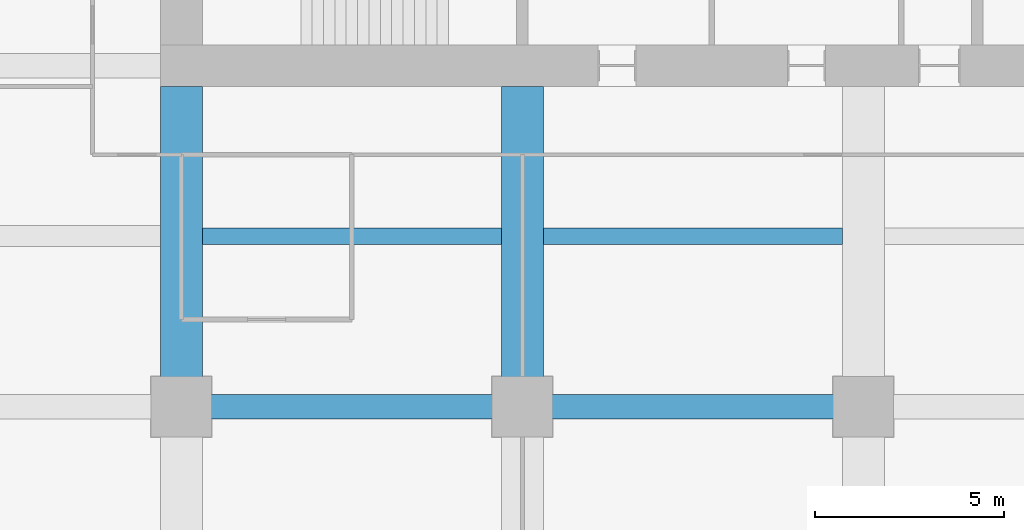
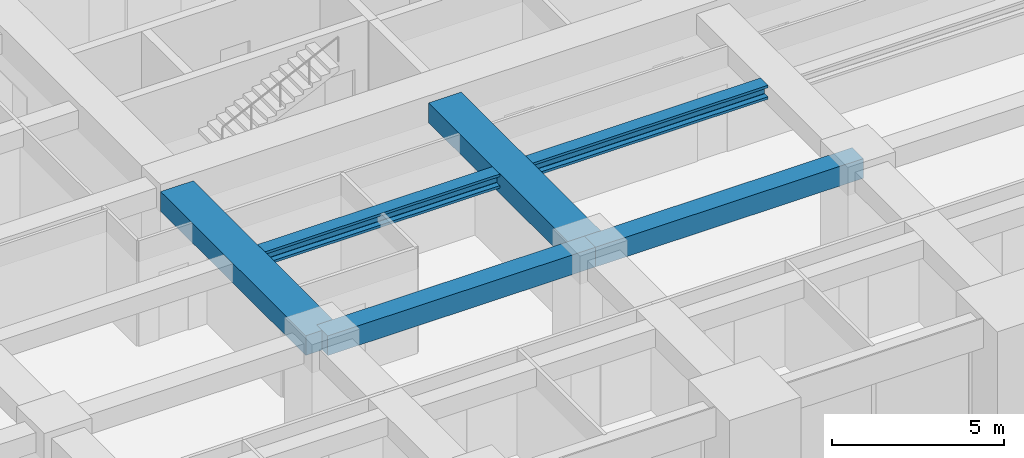
# One storey, part 8 of 32: 6 beams.
"""IFC4 building model written with IfcOpenShell, lengths in metres."""

from ifc_helpers import new_model, si_unit, direction, frame, origin, origin_2d, place, context, subcontext, project, spatial, rectangle, i_section, extrude, material, material_profile, profile_set, type_object, element, save


model = new_model("IFC4")

# Units and contexts
model_context = context("Model", 3, precision=1e-05, world=origin(), true_north=direction((0.0, 1.0)))
body_context = subcontext(model_context, "Body", "Model", "MODEL_VIEW")
ifc_project = project(units=[si_unit("LENGTHUNIT", "METRE"), si_unit("AREAUNIT", "SQUARE_METRE"), si_unit("VOLUMEUNIT", "CUBIC_METRE"), si_unit("PLANEANGLEUNIT", "RADIAN"), si_unit("MASSUNIT", "GRAM", prefix="KILO")], contexts=[model_context])

# Site, building, storey
site_placement = place(None, origin())
site = spatial("IfcSite", under=ifc_project, at=site_placement, CompositionType="ELEMENT")
building_placement = place(site_placement, origin())
building = spatial("IfcBuilding", under=site, at=building_placement, Name="Zorevar Civic Tower", CompositionType="ELEMENT")
storey_placement = place(building_placement, frame((0.0, 0.0, 182.199951171875)))
storey = spatial("IfcBuildingStorey", under=building, at=storey_placement, Name="L44", CompositionType="ELEMENT", Elevation=182.199951171875)

# Beams
ifc_material_1 = material(Name="Concrete C50/60", Category="concrete")
ifc_material_profile_1 = material_profile(ifc_material_1, rectangle(XDim=1.10009765625, YDim=0.699951171875, at=origin_2d()), Name="RC 1100x700")
ifc_profile_set_1 = profile_set([ifc_material_profile_1], Name="Concrete C50/60")
beam_type_1 = type_object("IfcBeamType", Name="Beam RC 1100x700", PredefinedType="BEAM", material=ifc_profile_set_1)
for number, where, z_axis, x_axis, name in (
    (1, (18.0, 9.0, 3.400146484375), (0.0, 1.0, 0.0), (-1.0, 0.0, 0.0), "Girder L45"),
    (2, (27.0, 9.0, 3.400146484375), (0.0, 1.0, 0.0), (-1.0, 0.0, 0.0), "Girder L45"),
):
    element("IfcBeam", number, at=place(storey_placement, frame(where, z_axis=z_axis, x_axis=x_axis)), inside=storey, type_object=beam_type_1, Name=name, PredefinedType="BEAM", context=body_context, shape_type="SweptSolid", body=[
        extrude(rectangle(XDim=1.10009765625, YDim=0.699951171875, at=origin_2d()), origin(), (0.0, 0.0, 1.0), 8.449951171875),
    ])
ifc_material_2 = material(Name="Concrete C50/60", Category="concrete")
ifc_material_profile_2 = material_profile(ifc_material_2, rectangle(XDim=0.64990234375, YDim=0.699951171875, at=origin_2d()), Name="RC 650x700")
ifc_profile_set_2 = profile_set([ifc_material_profile_2], Name="Concrete C50/60")
beam_type_2 = type_object("IfcBeamType", Name="Beam RC 650x700", PredefinedType="BEAM", material=ifc_profile_set_2)
for number, where, z_axis, x_axis, name in (
    (3, (18.0, 9.0, 3.400146484375), (1.0, 0.0, 0.0), (0.0, 1.0, 0.0), "Girder L45"),
    (4, (27.0, 9.0, 3.400146484375), (1.0, 0.0, 0.0), (0.0, 1.0, 0.0), "Girder L45"),
):
    element("IfcBeam", number, at=place(storey_placement, frame(where, z_axis=z_axis, x_axis=x_axis)), inside=storey, type_object=beam_type_2, Name=name, PredefinedType="BEAM", context=body_context, shape_type="SweptSolid", body=[
        extrude(rectangle(XDim=0.64990234375, YDim=0.699951171875, at=origin_2d()), origin(), (0.0, 0.0, 1.0), 9.0),
    ])
ifc_material_3 = material(Name="Steel S460M (HISTAR 460)", Category="steel")
ifc_material_profile_3 = material_profile(ifc_material_3, i_section(OverallWidth=0.431884765625, OverallDepth=0.498046875, WebThickness=0.0556640625, FlangeThickness=0.0888671875, FilletRadius=0.014892578125, at=origin_2d()), Name="HD 400x744")
ifc_profile_set_3 = profile_set([ifc_material_profile_3], Name="Steel S460M (HISTAR 460)")
beam_type_3 = type_object("IfcBeamType", Name="Core bay beam HD 400x744", PredefinedType="BEAM", material=ifc_profile_set_3)
for number, where, z_axis, x_axis, name in (
    (5, (18.550048828125, 13.5, 3.5009765625), (1.0, 0.0, 0.0), (0.0, 1.0, 0.0), "Secondary beam L45"),
    (6, (27.550048828125, 13.5, 3.5009765625), (1.0, 0.0, 0.0), (0.0, 1.0, 0.0), "Secondary beam L45"),
):
    element("IfcBeam", number, at=place(storey_placement, frame(where, z_axis=z_axis, x_axis=x_axis)), inside=storey, type_object=beam_type_3, Name=name, PredefinedType="BEAM", context=body_context, shape_type="SweptSolid", body=[
        extrude(i_section(OverallWidth=0.431884765625, OverallDepth=0.498046875, WebThickness=0.0556640625, FlangeThickness=0.0888671875, FilletRadius=0.014892578125, at=origin_2d()), origin(), (0.0, 0.0, 1.0), 7.89990234375),
    ])

save(model, "model.ifc")
